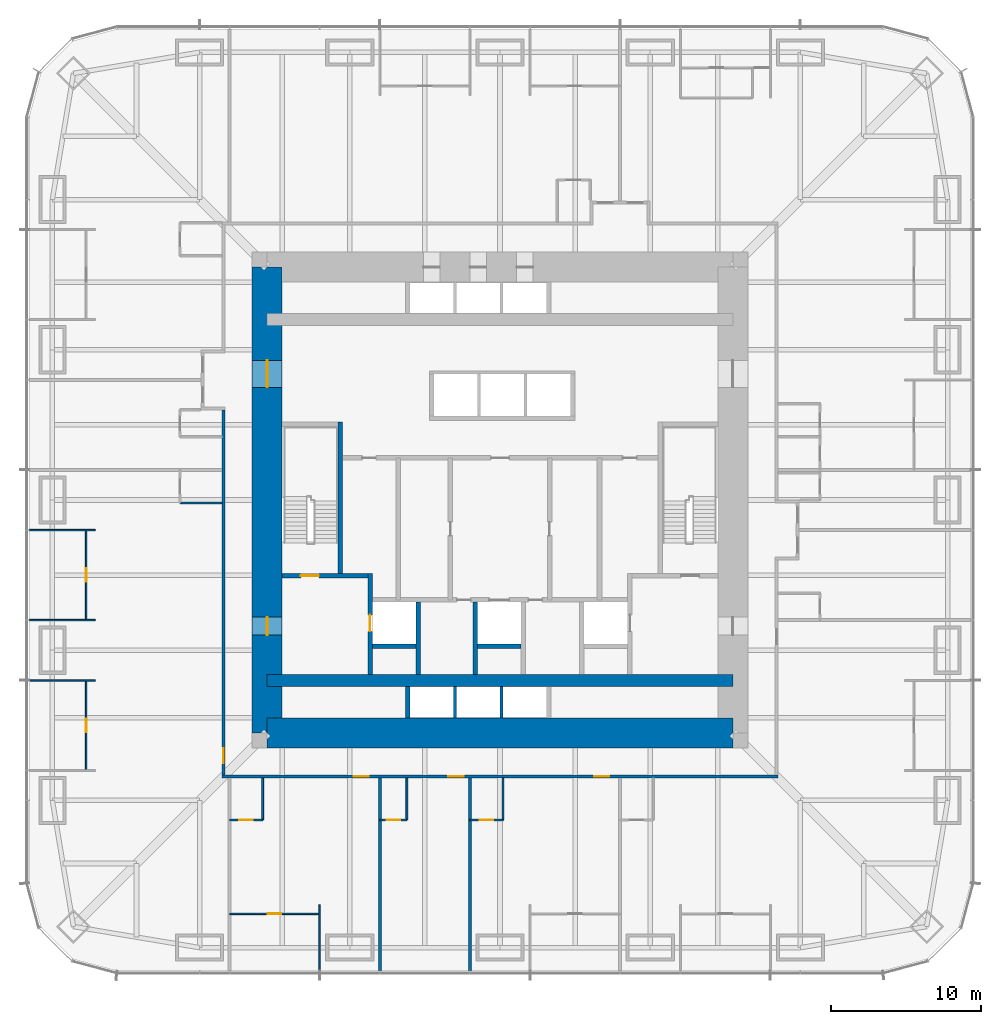
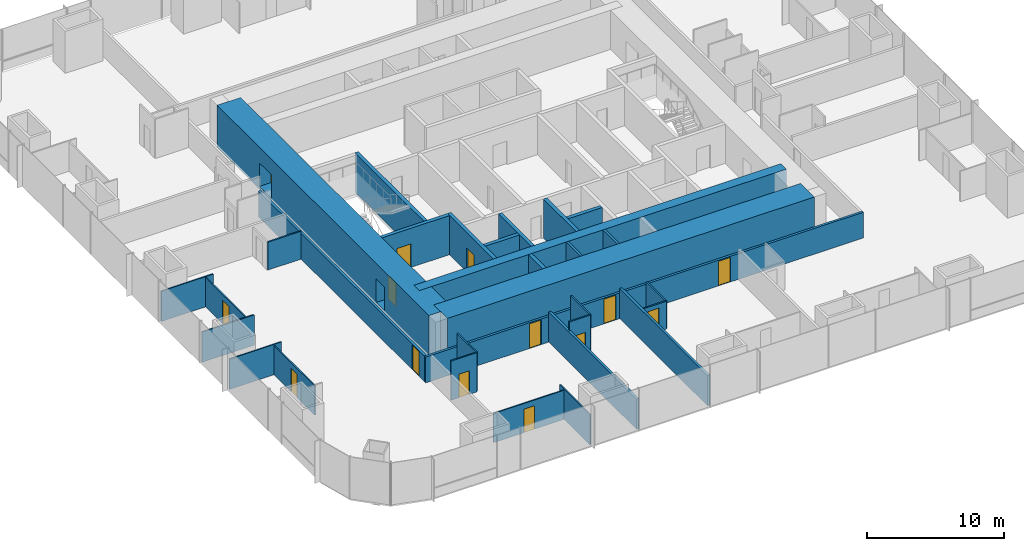
# One storey, part 12 of 16: 31 walls, 14 doors, 14 openings.
"""IFC4 building model written with IfcOpenShell, lengths in metres."""

import ifcopenshell
import ifcopenshell.guid

model = None  # the IFC model being written
_history = None  # IfcOwnerHistory: only IFC2X3 demands one
_inside = {}  # id of a spatial element -> (the spatial element, [elements in it])
_under = {}  # id of a project, library or spatial element -> (it, [spatial elements below it])
_declared = {}  # id of a project -> (the project, [libraries it declares])
_typed = {}  # id of a type object -> (the type object, [elements of that type])
_made_of = {}  # id of a material, layer set ... -> (it, [elements and type objects made of it])


def new_model(schema):
    """Start an empty IFC model of exactly this schema.

    Asked for "IFC4X3", IfcOpenShell would pick the latest addendum, in which some entities
    have other attributes; the version numbers below select the first issue.
    IFC2X3 requires an IfcOwnerHistory on every rooted entity: one is made here for all.
    """
    global model, _history
    if schema == "IFC4X3":
        model = ifcopenshell.file(schema_version=(4, 3, 0, 0))
    else:
        model = ifcopenshell.file(schema=schema)
    _inside.clear()
    _under.clear()
    _declared.clear()
    _typed.clear()
    _made_of.clear()
    _history = None
    if model.schema == "IFC2X3":
        org = make("IfcOrganization", Name="unknown")
        user = make(
            "IfcPersonAndOrganization",
            ThePerson=make("IfcPerson", FamilyName="unknown"),
            TheOrganization=org,
        )
        app = make(
            "IfcApplication",
            ApplicationDeveloper=org,
            Version="unknown",
            ApplicationFullName="unknown",
            ApplicationIdentifier="unknown",
        )
        _history = make(
            "IfcOwnerHistory",
            OwningUser=user,
            OwningApplication=app,
            ChangeAction="ADDED",
            CreationDate=0,
        )
    return model


def make(cls, **values):
    """One entity of the class cls with the attributes given. An attribute that is None is left unset."""
    return model.create_entity(
        cls, **{name: value for name, value in values.items() if value is not None}
    )


def rooted(cls, **values):
    """An entity with a GlobalId (a new one), such as an element, a storey or a relation."""
    return make(cls, GlobalId=ifcopenshell.guid.new(), OwnerHistory=_history, **values)


def si_unit(unit_type, name, prefix=None):
    """IfcSIUnit, for example si_unit("LENGTHUNIT", "METRE", prefix="MILLI")."""
    return make("IfcSIUnit", UnitType=unit_type, Prefix=prefix, Name=name)


def assignment(units):
    """IfcUnitAssignment: the units of a project."""
    return None if units is None else make("IfcUnitAssignment", Units=units)


def point(xyz):
    """IfcCartesianPoint."""
    return None if xyz is None else make("IfcCartesianPoint", Coordinates=xyz)


def direction(xyz):
    """IfcDirection."""
    return None if xyz is None else make("IfcDirection", DirectionRatios=xyz)


def frame(location, z_axis=None, x_axis=None):
    """IfcAxis2Placement3D, a coordinate frame: its origin and axes. An axis left out is left unset."""
    return make(
        "IfcAxis2Placement3D",
        Location=point(location),
        Axis=direction(z_axis),
        RefDirection=direction(x_axis),
    )


def frame_2d(location, x_axis=None):
    """IfcAxis2Placement2D, a coordinate frame in the plane: its origin and x axis."""
    return make(
        "IfcAxis2Placement2D", Location=point(location), RefDirection=direction(x_axis)
    )


def origin():
    """The frame at (0, 0, 0) with its axes left unset."""
    return frame((0.0, 0.0, 0.0))


def place(relative_to, where):
    """IfcLocalPlacement: puts the frame where relative to a parent placement (None: the world)."""
    return make(
        "IfcLocalPlacement", PlacementRelTo=relative_to, RelativePlacement=where
    )


def context(
    kind, dimensions, precision=None, world=None, true_north=None, identifier=None
):
    """IfcGeometricRepresentationContext, for example the 3D "Model" context."""
    return make(
        "IfcGeometricRepresentationContext",
        ContextIdentifier=identifier,
        ContextType=kind,
        CoordinateSpaceDimension=dimensions,
        Precision=precision,
        WorldCoordinateSystem=world,
        TrueNorth=true_north,
    )


def subcontext(parent, identifier, kind, view, scale=None):
    """IfcGeometricRepresentationSubContext, for example "Body" below "Model"."""
    return make(
        "IfcGeometricRepresentationSubContext",
        ContextIdentifier=identifier,
        ContextType=kind,
        ParentContext=parent,
        TargetScale=scale,
        TargetView=view,
    )


def project(units=None, contexts=None):
    """IfcProject with its units and contexts."""
    return rooted(
        "IfcProject",
        Name="project",
        RepresentationContexts=contexts,
        UnitsInContext=assignment(units),
    )


def spatial(cls, under=None, at=None, **own):
    """A site, building, storey or space (cls), placed at a placement, below another one or the project."""
    s = rooted(cls, ObjectPlacement=at, **own)
    if under is not None:
        _under.setdefault(under.id(), (under, []))[1].append(s)
    return s


def profile(cls, at=None, kind="AREA", **sizes):
    """A parametric profile (cls). Its sizes go by their IFC names, for example OverallWidth=200.0."""
    return make(cls, ProfileType=kind, Position=at, **sizes)


def rectangle(**sizes):
    """IfcRectangleProfileDef."""
    return profile("IfcRectangleProfileDef", **sizes)


def extrude(swept, where, along, depth):
    """IfcExtrudedAreaSolid: the profile swept, set in the frame where, extruded along a direction by depth."""
    return make(
        "IfcExtrudedAreaSolid",
        SweptArea=swept,
        Position=where,
        ExtrudedDirection=direction(along),
        Depth=depth,
    )


def shape(context_of_items, identifier, shape_type, items):
    """IfcShapeRepresentation: the items that make up one representation, for example the "Body"."""
    return make(
        "IfcShapeRepresentation",
        ContextOfItems=context_of_items,
        RepresentationIdentifier=identifier,
        RepresentationType=shape_type,
        Items=items,
    )


def material(Name=None, Category=None):
    """IfcMaterial."""
    return make("IfcMaterial", Name=Name, Category=Category)


def layer(
    of_material, thickness, ventilated=None, Name=None, Category=None, Priority=None
):
    """IfcMaterialLayer: one layer of a wall or slab, of a material (None: an air gap)."""
    return make(
        "IfcMaterialLayer",
        Material=of_material,
        LayerThickness=thickness,
        IsVentilated=ventilated,
        Name=Name,
        Category=Category,
        Priority=Priority,
    )


def layer_set(layers, Name=None):
    """IfcMaterialLayerSet."""
    return make("IfcMaterialLayerSet", MaterialLayers=layers, LayerSetName=Name)


def made_of(thing, what):
    """Note that an element or type object is made of a material, layer set ...; save() writes the relation."""
    if what is not None:
        _made_of.setdefault(what.id(), (what, []))[1].append(thing)
    return thing


def type_object(cls, material=None, **own):
    """A type object (cls), such as IfcWallType, which elements share."""
    return made_of(rooted(cls, **own), material)


def element(
    cls,
    number,
    at=None,
    inside=None,
    cuts=None,
    type_object=None,
    material=None,
    context=None,
    identifier="Body",
    shape_type=None,
    held_by="IfcProductDefinitionShape",
    body=None,
    shapes=None,
    **own,
):
    """One element of the class cls, such as IfcWall. Its Tag is "e" and its number.

    at: its placement. inside: the storey or other place that contains it. cuts: it is an
    opening in that element (IfcRelVoidsElement). A single representation is given by context,
    identifier, shape_type and body (its items); several are given by shapes. held_by: the class
    of the entity that holds the representations. save() writes the other relations.
    """
    e = rooted(cls, Tag="e%d" % number, ObjectPlacement=at, **own)
    if body is not None:
        shapes = [shape(context, identifier, shape_type, body)]
    if shapes is not None:
        e.Representation = make(held_by, Representations=shapes)
    if inside is not None:
        _inside.setdefault(inside.id(), (inside, []))[1].append(e)
    if cuts is not None:
        rooted(
            "IfcRelVoidsElement", RelatingBuildingElement=cuts, RelatedOpeningElement=e
        )
    if type_object is not None:
        _typed.setdefault(type_object.id(), (type_object, []))[1].append(e)
    return made_of(e, material)


def fill(opening, filler):
    """IfcRelFillsElement: the door or window that sits in an opening."""
    return rooted(
        "IfcRelFillsElement",
        RelatingOpeningElement=opening,
        RelatedBuildingElement=filler,
    )


def aggregate(whole, parts):
    """IfcRelAggregates: a whole, such as a stair, and the parts it consists of."""
    return rooted("IfcRelAggregates", RelatingObject=whole, RelatedObjects=parts)


def save(model, path):
    """Write the relations noted so far, then the file.

    IfcRelAggregates (storeys below a building ...), IfcRelContainedInSpatialStructure (elements
    in a storey), IfcRelDefinesByType, IfcRelAssociatesMaterial and IfcRelDeclares: one each for
    every whole, place, type object, material and project.
    """
    for whole, parts in _under.values():
        aggregate(whole, parts)
    for where, things in _inside.values():
        rooted(
            "IfcRelContainedInSpatialStructure",
            RelatedElements=things,
            RelatingStructure=where,
        )
    for kind, things in _typed.values():
        rooted("IfcRelDefinesByType", RelatedObjects=things, RelatingType=kind)
    for what, things in _made_of.values():
        rooted("IfcRelAssociatesMaterial", RelatedObjects=things, RelatingMaterial=what)
    for by, libraries in _declared.values():
        rooted("IfcRelDeclares", RelatingContext=by, RelatedDefinitions=libraries)
    model.write(path)


model = new_model("IFC4")

# Units and contexts
model_context = context("Model", 3, precision=1e-05, world=origin(), true_north=direction((0.0, 1.0)))
body_context = subcontext(model_context, "Body", "Model", "MODEL_VIEW")
ifc_project = project(units=[si_unit("LENGTHUNIT", "METRE"), si_unit("AREAUNIT", "SQUARE_METRE"), si_unit("VOLUMEUNIT", "CUBIC_METRE"), si_unit("PLANEANGLEUNIT", "RADIAN"), si_unit("MASSUNIT", "GRAM", prefix="KILO")], contexts=[model_context])

# Site, building, storey
site_placement = place(None, origin())
site = spatial("IfcSite", under=ifc_project, at=site_placement, CompositionType="ELEMENT")
building_placement = place(site_placement, origin())
building = spatial("IfcBuilding", under=site, at=building_placement, Name="Khuree Lantern Residences", CompositionType="ELEMENT")
storey_placement = place(building_placement, frame((0.0, 0.0, 62.25)))
storey = spatial("IfcBuildingStorey", under=building, at=storey_placement, Name="L15", CompositionType="ELEMENT", Elevation=62.25)

# Wall
ifc_material_1 = material(Name="Moisture-resistant gypsum board on steel studs", Category="steel")
ifc_layer_1 = layer(ifc_material_1, 0.125)
ifc_layer_set_1 = layer_set([ifc_layer_1], Name="BATHROOM WALL BTW125")
wall_type_1 = type_object("IfcWallType", Name="BATHROOM WALL BTW125", PredefinedType="PARTITIONING", material=ifc_layer_set_1)
wall_1_placement = place(storey_placement, frame((-18.5, -0.199951171875, 0.0), z_axis=(0.0, 0.0, 1.0), x_axis=(-1.0, 0.0, 0.0)))
element("IfcWall", 1, at=wall_1_placement, inside=storey, type_object=wall_type_1, Name="L15 BATHROOM WALL 07", PredefinedType="PARTITIONING", context=body_context, shape_type="SweptSolid", body=[
    extrude(rectangle(XDim=2.800048828125, YDim=0.125, at=frame_2d((1.39990234375, 0.0))), origin(), (0.0, 0.0, 1.0), 2.491943359375),
])

# Wall, opening, door
wall_2_placement = place(storey_placement, frame((-18.0, -21.300048828125, 0.0), z_axis=(0.0, 0.0, 1.0), x_axis=(1.0, 0.0, 0.0)))
wall_2 = element("IfcWall", 2, at=wall_2_placement, inside=storey, type_object=wall_type_1, Name="L15 BATHROOM WALL 08", PredefinedType="PARTITIONING", context=body_context, shape_type="SweptSolid", body=[
    extrude(rectangle(XDim=2.199951171875, YDim=0.125, at=frame_2d((1.10009765625, 0.0))), origin(), (0.0, 0.0, 1.0), 3.5),
])
opening_1_placement = place(wall_2_placement, frame((0.64990234375, 0.0, 0.0)))
opening_1 = element("IfcOpeningElement", 3, at=opening_1_placement, cuts=wall_2, Name="Opening 15-045", PredefinedType="OPENING", context=body_context, shape_type="SweptSolid", body=[
    extrude(rectangle(XDim=0.89990234375, YDim=2.10009765625, at=frame_2d((0.449951171875, 1.050048828125))), frame((0.0, 0.072509765625, 0.0), z_axis=(0.0, -1.0, 0.0), x_axis=(1.0, 0.0, 0.0)), (0.0, 0.0, 1.0), 0.14501953125),
])
ifc_material_2 = material(Name="Timber door leaf in hardwood frame", Category="wood")
door_type_1 = type_object("IfcDoorType", Name="BATHROOM DOOR 900X2100", OperationType="SINGLE_SWING_LEFT", PredefinedType="DOOR", material=ifc_material_2)
door_1_placement = place(opening_1_placement, origin())
door_1 = element("IfcDoor", 4, at=door_1_placement, inside=storey, type_object=door_type_1, Name="Bathroom door 15-045", OperationType="SINGLE_SWING_LEFT", OverallHeight=2.10009765625, OverallWidth=0.89990234375, PredefinedType="DOOR", context=body_context, shape_type="SweptSolid", body=[
    extrude(rectangle(XDim=0.89990234375, YDim=2.10009765625, at=frame_2d((0.449951171875, 1.050048828125))), frame((0.0, 0.02490234375, 0.0), z_axis=(0.0, -1.0, 0.0), x_axis=(1.0, 0.0, 0.0)), (0.0, 0.0, 1.0), 0.050048828125),
])
fill(opening_1, door_1)

# Wall
wall_3_placement = place(storey_placement, frame((-15.800048828125, -18.5, 0.0), z_axis=(0.0, 0.0, 1.0), x_axis=(0.0, -1.0, 0.0)))
element("IfcWall", 5, at=wall_3_placement, inside=storey, type_object=wall_type_1, Name="L15 BATHROOM WALL 08", PredefinedType="PARTITIONING", context=body_context, shape_type="SweptSolid", body=[
    extrude(rectangle(XDim=2.800048828125, YDim=0.125, at=frame_2d((1.39990234375, 0.0))), origin(), (0.0, 0.0, 1.0), 3.5),
])

# Wall, opening, door
wall_4_placement = place(storey_placement, frame((-8.0, -21.300048828125, 0.0), z_axis=(0.0, 0.0, 1.0), x_axis=(1.0, 0.0, 0.0)))
wall_4 = element("IfcWall", 6, at=wall_4_placement, inside=storey, type_object=wall_type_1, Name="L15 BATHROOM WALL 09", PredefinedType="PARTITIONING", context=body_context, shape_type="SweptSolid", body=[
    extrude(rectangle(XDim=1.800048828125, YDim=0.125, at=frame_2d((0.89990234375, 0.0))), origin(), (0.0, 0.0, 1.0), 3.5),
])
opening_2_placement = place(wall_4_placement, frame((0.449951171875, 0.0, 0.0)))
opening_2 = element("IfcOpeningElement", 7, at=opening_2_placement, cuts=wall_4, Name="Opening 15-047", PredefinedType="OPENING", context=body_context, shape_type="SweptSolid", body=[
    extrude(rectangle(XDim=0.89990234375, YDim=2.10009765625, at=frame_2d((0.449951171875, 1.050048828125))), frame((0.0, 0.072509765625, 0.0), z_axis=(0.0, -1.0, 0.0), x_axis=(1.0, 0.0, 0.0)), (0.0, 0.0, 1.0), 0.14501953125),
])
door_2_placement = place(opening_2_placement, origin())
door_2 = element("IfcDoor", 8, at=door_2_placement, inside=storey, type_object=door_type_1, Name="Bathroom door 15-047", OperationType="SINGLE_SWING_LEFT", OverallHeight=2.10009765625, OverallWidth=0.89990234375, PredefinedType="DOOR", context=body_context, shape_type="SweptSolid", body=[
    extrude(rectangle(XDim=0.89990234375, YDim=2.10009765625, at=frame_2d((0.449951171875, 1.050048828125))), frame((0.0, 0.02490234375, 0.0), z_axis=(0.0, -1.0, 0.0), x_axis=(1.0, 0.0, 0.0)), (0.0, 0.0, 1.0), 0.050048828125),
])
fill(opening_2, door_2)

# Wall
wall_5_placement = place(storey_placement, frame((-6.199951171875, -18.5, 0.0), z_axis=(0.0, 0.0, 1.0), x_axis=(0.0, -1.0, 0.0)))
element("IfcWall", 9, at=wall_5_placement, inside=storey, type_object=wall_type_1, Name="L15 BATHROOM WALL 09", PredefinedType="PARTITIONING", context=body_context, shape_type="SweptSolid", body=[
    extrude(rectangle(XDim=2.800048828125, YDim=0.125, at=frame_2d((1.39990234375, 0.0))), origin(), (0.0, 0.0, 1.0), 3.5),
])

# Wall, opening, door
wall_6_placement = place(storey_placement, frame((-2.0, -21.300048828125, 0.0), z_axis=(0.0, 0.0, 1.0), x_axis=(1.0, 0.0, 0.0)))
wall_6 = element("IfcWall", 10, at=wall_6_placement, inside=storey, type_object=wall_type_1, Name="L15 BATHROOM WALL 10", PredefinedType="PARTITIONING", context=body_context, shape_type="SweptSolid", body=[
    extrude(rectangle(XDim=2.199951171875, YDim=0.125, at=frame_2d((1.10009765625, 0.0))), origin(), (0.0, 0.0, 1.0), 2.491943359375),
])
opening_3_placement = place(wall_6_placement, frame((0.64990234375, 0.0, 0.0)))
opening_3 = element("IfcOpeningElement", 11, at=opening_3_placement, cuts=wall_6, Name="Opening 15-050", PredefinedType="OPENING", context=body_context, shape_type="SweptSolid", body=[
    extrude(rectangle(XDim=0.89990234375, YDim=2.10009765625, at=frame_2d((0.449951171875, 1.050048828125))), frame((0.0, 0.072509765625, 0.0), z_axis=(0.0, -1.0, 0.0), x_axis=(1.0, 0.0, 0.0)), (0.0, 0.0, 1.0), 0.14501953125),
])
door_3_placement = place(opening_3_placement, origin())
door_3 = element("IfcDoor", 12, at=door_3_placement, inside=storey, type_object=door_type_1, Name="Bathroom door 15-050", OperationType="SINGLE_SWING_LEFT", OverallHeight=2.10009765625, OverallWidth=0.89990234375, PredefinedType="DOOR", context=body_context, shape_type="SweptSolid", body=[
    extrude(rectangle(XDim=0.89990234375, YDim=2.10009765625, at=frame_2d((0.449951171875, 1.050048828125))), frame((0.0, 0.02490234375, 0.0), z_axis=(0.0, -1.0, 0.0), x_axis=(1.0, 0.0, 0.0)), (0.0, 0.0, 1.0), 0.050048828125),
])
fill(opening_3, door_3)

# Wall
wall_7_placement = place(storey_placement, frame((0.199951171875, -18.5, 0.0), z_axis=(0.0, 0.0, 1.0), x_axis=(0.0, -1.0, 0.0)))
element("IfcWall", 13, at=wall_7_placement, inside=storey, type_object=wall_type_1, Name="L15 BATHROOM WALL 10", PredefinedType="PARTITIONING", context=body_context, shape_type="SweptSolid", body=[
    extrude(rectangle(XDim=2.800048828125, YDim=0.125, at=frame_2d((1.39990234375, 0.0))), origin(), (0.0, 0.0, 1.0), 2.491943359375),
])

# Wall, opening, door
ifc_material_3 = material(Name="Dense concrete blockwork", Category="masonry")
ifc_layer_2 = layer(ifc_material_3, 0.300048828125)
ifc_layer_set_2 = layer_set([ifc_layer_2], Name="CORE PARTITION WALL CPW300 EI 120")
wall_type_2 = type_object("IfcWallType", Name="CORE PARTITION WALL CPW300 EI 120", PredefinedType="PARTITIONING", material=ifc_layer_set_2)
wall_8_placement = place(storey_placement, frame((-8.64990234375, -11.60009765625, 0.0), z_axis=(0.0, 0.0, 1.0), x_axis=(0.0, 1.0, 0.0)))
wall_8 = element("IfcWall", 14, at=wall_8_placement, inside=storey, type_object=wall_type_2, Name="L15 CORE WALL FL1W", PredefinedType="PARTITIONING", context=body_context, shape_type="SweptSolid", body=[
    extrude(rectangle(XDim=6.7001953125, YDim=0.300048828125, at=frame_2d((3.35009765625, 0.0))), origin(), (0.0, 0.0, 1.0), 3.5),
])
opening_4_placement = place(wall_8_placement, frame((2.85009765625, 0.0, 0.0)))
opening_4 = element("IfcOpeningElement", 15, at=opening_4_placement, cuts=wall_8, Name="Opening 15-007", PredefinedType="OPENING", context=body_context, shape_type="SweptSolid", body=[
    extrude(rectangle(XDim=1.10009765625, YDim=2.10009765625, at=frame_2d((0.550048828125, 1.050048828125))), frame((0.0, 0.16015625, 0.0), z_axis=(0.0, -1.0, 0.0), x_axis=(1.0, 0.0, 0.0)), (0.0, 0.0, 1.0), 0.320068359375),
])
ifc_material_4 = material(Name="Stainless steel lift landing door", Category="steel")
door_type_2 = type_object("IfcDoorType", Name="LIFT LANDING DOOR 1100X2100 E 120", OperationType="DOUBLE_DOOR_SLIDING", PredefinedType="DOOR", material=ifc_material_4)
door_4_placement = place(opening_4_placement, origin())
door_4 = element("IfcDoor", 16, at=door_4_placement, inside=storey, type_object=door_type_2, Name="Landing door FL1 15-007", OperationType="DOUBLE_DOOR_SLIDING", OverallHeight=2.10009765625, OverallWidth=1.10009765625, PredefinedType="DOOR", context=body_context, shape_type="SweptSolid", body=[
    extrude(rectangle(XDim=1.10009765625, YDim=2.10009765625, at=frame_2d((0.550048828125, 1.050048828125))), frame((0.0, 0.02490234375, 0.0), z_axis=(0.0, -1.0, 0.0), x_axis=(1.0, 0.0, 0.0)), (0.0, 0.0, 1.0), 0.050048828125),
])
fill(opening_4, door_4)

# Walls
for number, where, z_axis, x_axis, name in (
    (17, (-5.449951171875, -11.60009765625, 0.0), (0.0, 0.0, 1.0), (0.0, 1.0, 0.0), "L15 CORE WALL FL1E"),
    (18, (-1.64990234375, -11.60009765625, 0.0), (0.0, 0.0, 1.0), (0.0, 1.0, 0.0), "L15 CORE WALL SL1W"),
):
    element("IfcWall", number, at=place(storey_placement, frame(where, z_axis=z_axis, x_axis=x_axis)), inside=storey, type_object=wall_type_2, Name=name, PredefinedType="PARTITIONING", context=body_context, shape_type="SweptSolid", body=[
        extrude(rectangle(XDim=4.800048828125, YDim=0.300048828125, at=frame_2d((2.39990234375, 0.0))), origin(), (0.0, 0.0, 1.0), 3.5),
    ])
for number, where, z_axis, x_axis, name in (
    (19, (-8.5, -9.75, 0.0), (0.0, 0.0, 1.0), (1.0, 0.0, 0.0), "L15 CORE WALL FL1S"),
    (20, (-1.5, -9.75, 0.0), (0.0, 0.0, 1.0), (1.0, 0.0, 0.0), "L15 CORE WALL SL1S"),
):
    element("IfcWall", number, at=place(storey_placement, frame(where, z_axis=z_axis, x_axis=x_axis)), inside=storey, type_object=wall_type_2, Name=name, PredefinedType="PARTITIONING", context=body_context, shape_type="SweptSolid", body=[
        extrude(rectangle(XDim=2.89990234375, YDim=0.300048828125, at=frame_2d((1.449951171875, 0.0))), origin(), (0.0, 0.0, 1.0), 3.5),
    ])
wall_9_placement = place(storey_placement, frame((-6.14990234375, -14.5, 0.0), z_axis=(0.0, 0.0, 1.0), x_axis=(0.0, 1.0, 0.0)))
element("IfcWall", 21, at=wall_9_placement, inside=storey, type_object=wall_type_2, Name="L15 CORE WALL PMW", PredefinedType="PARTITIONING", context=body_context, shape_type="SweptSolid", body=[
    extrude(rectangle(XDim=2.10009765625, YDim=0.300048828125, at=frame_2d((1.050048828125, 0.0))), origin(), (0.0, 0.0, 1.0), 3.5),
])

# Wall, opening, door
ifc_material_5 = material(Name="Gypsum board on steel studs", Category="steel")
ifc_layer_3 = layer(ifc_material_5, 0.199951171875)
ifc_layer_set_3 = layer_set([ifc_layer_3], Name="CORRIDOR WALL CRW200 EI 60")
wall_type_3 = type_object("IfcWallType", Name="CORRIDOR WALL CRW200 EI 60", PredefinedType="PARTITIONING", material=ifc_layer_set_3)
wall_10_placement = place(storey_placement, frame((-18.39990234375, 6.0, 0.0), z_axis=(0.0, 0.0, 1.0), x_axis=(0.0, -1.0, 0.0)))
wall_10 = element("IfcWall", 22, at=wall_10_placement, inside=storey, type_object=wall_type_3, Name="L15 CORRIDOR WALL WEST 2", PredefinedType="PARTITIONING", context=body_context, shape_type="SweptSolid", body=[
    extrude(rectangle(XDim=24.300048828125, YDim=0.199951171875, at=frame_2d((12.14990234375, 0.0))), origin(), (0.0, 0.0, 1.0), 2.300048828125),
])
opening_5_placement = place(wall_10_placement, frame((22.52001953125, 0.0, 0.0)))
opening_5 = element("IfcOpeningElement", 23, at=opening_5_placement, cuts=wall_10, Name="Opening 15-043", PredefinedType="OPENING", context=body_context, shape_type="SweptSolid", body=[
    extrude(rectangle(XDim=1.0, YDim=2.199951171875, at=frame_2d((0.5, 1.10009765625))), frame((0.0, 0.10986328125, 0.0), z_axis=(0.0, -1.0, 0.0), x_axis=(1.0, 0.0, 0.0)), (0.0, 0.0, 1.0), 0.219970703125),
])
door_type_3 = type_object("IfcDoorType", Name="APARTMENT ENTRANCE DOOR 1000X2200 EI 30S RIGHT HAND", OperationType="SINGLE_SWING_RIGHT", PredefinedType="DOOR", material=ifc_material_2)
door_5_placement = place(opening_5_placement, origin())
door_5 = element("IfcDoor", 24, at=door_5_placement, inside=storey, type_object=door_type_3, Name="Apartment 07 entrance door 15-043", OperationType="SINGLE_SWING_RIGHT", OverallHeight=2.199951171875, OverallWidth=1.0, PredefinedType="DOOR", context=body_context, shape_type="SweptSolid", body=[
    extrude(rectangle(XDim=1.0, YDim=2.199951171875, at=frame_2d((0.5, 1.10009765625))), frame((0.0, 0.02490234375, 0.0), z_axis=(0.0, -1.0, 0.0), x_axis=(1.0, 0.0, 0.0)), (0.0, 0.0, 1.0), 0.050048828125),
])
fill(opening_5, door_5)

# Wall, openings, doors
wall_11_placement = place(storey_placement, frame((18.5, -18.39990234375, 0.0), z_axis=(0.0, 0.0, 1.0), x_axis=(-1.0, 0.0, 0.0)))
wall_11 = element("IfcWall", 25, at=wall_11_placement, inside=storey, type_object=wall_type_3, Name="L15 CORRIDOR WALL SOUTH 1", PredefinedType="PARTITIONING", context=body_context, shape_type="SweptSolid", body=[
    extrude(rectangle(XDim=37.0, YDim=0.199951171875, at=frame_2d((18.5, 0.0))), origin(), (0.0, 0.0, 1.0), 2.300048828125),
])
opening_6_placement = place(wall_11_placement, frame((27.22998046875, 0.0, 0.0)))
opening_6 = element("IfcOpeningElement", 26, at=opening_6_placement, cuts=wall_11, Name="Opening 15-046", PredefinedType="OPENING", context=body_context, shape_type="SweptSolid", body=[
    extrude(rectangle(XDim=1.0, YDim=2.199951171875, at=frame_2d((0.5, 1.10009765625))), frame((0.0, 0.10986328125, 0.0), z_axis=(0.0, -1.0, 0.0), x_axis=(1.0, 0.0, 0.0)), (0.0, 0.0, 1.0), 0.219970703125),
])
opening_7_placement = place(wall_11_placement, frame((20.929931640625, 0.0, 0.0)))
opening_7 = element("IfcOpeningElement", 27, at=opening_7_placement, cuts=wall_11, Name="Opening 15-048", PredefinedType="OPENING", context=body_context, shape_type="SweptSolid", body=[
    extrude(rectangle(XDim=1.0, YDim=2.199951171875, at=frame_2d((0.5, 1.10009765625))), frame((0.0, 0.10986328125, 0.0), z_axis=(0.0, -1.0, 0.0), x_axis=(1.0, 0.0, 0.0)), (0.0, 0.0, 1.0), 0.219970703125),
])
opening_8_placement = place(wall_11_placement, frame((11.22998046875, 0.0, 0.0)))
opening_8 = element("IfcOpeningElement", 28, at=opening_8_placement, cuts=wall_11, Name="Opening 15-051", PredefinedType="OPENING", context=body_context, shape_type="SweptSolid", body=[
    extrude(rectangle(XDim=1.0, YDim=2.199951171875, at=frame_2d((0.5, 1.10009765625))), frame((0.0, 0.10986328125, 0.0), z_axis=(0.0, -1.0, 0.0), x_axis=(1.0, 0.0, 0.0)), (0.0, 0.0, 1.0), 0.219970703125),
])
door_type_4 = type_object("IfcDoorType", Name="APARTMENT ENTRANCE DOOR 1000X2200 EI 30S", OperationType="SINGLE_SWING_LEFT", PredefinedType="DOOR", material=ifc_material_2)
door_6_placement = place(opening_6_placement, origin())
door_6 = element("IfcDoor", 29, at=door_6_placement, inside=storey, type_object=door_type_4, Name="Apartment 08 entrance door 15-046", OperationType="SINGLE_SWING_LEFT", OverallHeight=2.199951171875, OverallWidth=1.0, PredefinedType="DOOR", context=body_context, shape_type="SweptSolid", body=[
    extrude(rectangle(XDim=1.0, YDim=2.199951171875, at=frame_2d((0.5, 1.10009765625))), frame((0.0, 0.02490234375, 0.0), z_axis=(0.0, -1.0, 0.0), x_axis=(1.0, 0.0, 0.0)), (0.0, 0.0, 1.0), 0.050048828125),
])
fill(opening_6, door_6)
door_7_placement = place(opening_7_placement, origin())
door_7 = element("IfcDoor", 30, at=door_7_placement, inside=storey, type_object=door_type_4, Name="Apartment 09 entrance door 15-048", OperationType="SINGLE_SWING_LEFT", OverallHeight=2.199951171875, OverallWidth=1.0, PredefinedType="DOOR", context=body_context, shape_type="SweptSolid", body=[
    extrude(rectangle(XDim=1.0, YDim=2.199951171875, at=frame_2d((0.5, 1.10009765625))), frame((0.0, 0.02490234375, 0.0), z_axis=(0.0, -1.0, 0.0), x_axis=(1.0, 0.0, 0.0)), (0.0, 0.0, 1.0), 0.050048828125),
])
fill(opening_7, door_7)
door_8_placement = place(opening_8_placement, origin())
door_8 = element("IfcDoor", 31, at=door_8_placement, inside=storey, type_object=door_type_4, Name="Apartment 10 entrance door 15-051", OperationType="SINGLE_SWING_LEFT", OverallHeight=2.199951171875, OverallWidth=1.0, PredefinedType="DOOR", context=body_context, shape_type="SweptSolid", body=[
    extrude(rectangle(XDim=1.0, YDim=2.199951171875, at=frame_2d((0.5, 1.10009765625))), frame((0.0, 0.02490234375, 0.0), z_axis=(0.0, -1.0, 0.0), x_axis=(1.0, 0.0, 0.0)), (0.0, 0.0, 1.0), 0.050048828125),
])
fill(opening_8, door_8)

# Wall
ifc_material_6 = material(Name="Concrete C70/85", Category="concrete")
ifc_layer_4 = layer(ifc_material_6, 2.0)
ifc_layer_set_4 = layer_set([ifc_layer_4], Name="CW2000-C70 CORE WALL C70 2000")
wall_type_4 = type_object("IfcWallType", Name="CW2000-C70 CORE WALL C70 2000", PredefinedType="SHEAR", material=ifc_layer_set_4)
wall_12_placement = place(storey_placement, frame((-15.5, -15.5, -0.25), z_axis=(0.0, 0.0, 1.0), x_axis=(1.0, 0.0, 0.0)))
element("IfcWall", 32, at=wall_12_placement, inside=storey, type_object=wall_type_4, Name="Core wall S", PredefinedType="SHEAR", context=body_context, shape_type="SweptSolid", body=[
    extrude(rectangle(XDim=31.0, YDim=2.0, at=frame_2d((15.5, 0.0))), origin(), (0.0, 0.0, 1.0), 3.75),
])

# Wall, openings, doors
wall_13_placement = place(storey_placement, frame((-15.5, -15.5, -0.25), z_axis=(0.0, 0.0, 1.0), x_axis=(0.0, 1.0, 0.0)))
wall_13 = element("IfcWall", 33, at=wall_13_placement, inside=storey, type_object=wall_type_4, Name="Core wall W", PredefinedType="SHEAR", context=body_context, shape_type="SweptSolid", body=[
    extrude(rectangle(XDim=31.0, YDim=2.0, at=frame_2d((15.5, 0.0))), origin(), (0.0, 0.0, 1.0), 3.75),
])
opening_9_placement = place(wall_13_placement, frame((6.5, 0.0, 0.25)))
opening_9 = element("IfcOpeningElement", 34, at=opening_9_placement, cuts=wall_13, Name="Opening 15-002", PredefinedType="OPENING", context=body_context, shape_type="SweptSolid", body=[
    extrude(rectangle(XDim=1.199951171875, YDim=2.10009765625, at=frame_2d((0.60009765625, 1.050048828125))), frame((0.0, 1.010009765625, 0.0), z_axis=(0.0, -1.0, 0.0), x_axis=(1.0, 0.0, 0.0)), (0.0, 0.0, 1.0), 2.02001953125),
])
opening_10_placement = place(wall_13_placement, frame((23.0, 0.0, 0.25)))
opening_10 = element("IfcOpeningElement", 35, at=opening_10_placement, cuts=wall_13, Name="Opening 15-003", PredefinedType="OPENING", context=body_context, shape_type="SweptSolid", body=[
    extrude(rectangle(XDim=1.800048828125, YDim=2.10009765625, at=frame_2d((0.89990234375, 1.050048828125))), frame((0.0, 1.010009765625, 0.0), z_axis=(0.0, -1.0, 0.0), x_axis=(1.0, 0.0, 0.0)), (0.0, 0.0, 1.0), 2.02001953125),
])
ifc_material_7 = material(Name="Steel door leaf in steel frame", Category="steel")
door_type_5 = type_object("IfcDoorType", Name="LOBBY DOOR 1200X2100 EI 120", OperationType="SINGLE_SWING_LEFT", PredefinedType="DOOR", material=ifc_material_7)
door_9_placement = place(opening_9_placement, origin())
door_9 = element("IfcDoor", 36, at=door_9_placement, inside=storey, type_object=door_type_5, Name="Firefighting lobby door 15-002", OperationType="SINGLE_SWING_LEFT", OverallHeight=2.10009765625, OverallWidth=1.199951171875, PredefinedType="DOOR", context=body_context, shape_type="SweptSolid", body=[
    extrude(rectangle(XDim=1.199951171875, YDim=2.10009765625, at=frame_2d((0.60009765625, 1.050048828125))), frame((0.0, 0.02490234375, 0.0), z_axis=(0.0, -1.0, 0.0), x_axis=(1.0, 0.0, 0.0)), (0.0, 0.0, 1.0), 0.050048828125),
])
fill(opening_9, door_9)
door_type_6 = type_object("IfcDoorType", Name="LOBBY DOUBLE DOOR 1800X2100 EI 60", OperationType="DOUBLE_DOOR_SINGLE_SWING", PredefinedType="DOOR", material=ifc_material_7)
door_10_placement = place(opening_10_placement, origin())
door_10 = element("IfcDoor", 37, at=door_10_placement, inside=storey, type_object=door_type_6, Name="Lift lobby door 15-003", OperationType="DOUBLE_DOOR_SINGLE_SWING", OverallHeight=2.10009765625, OverallWidth=1.800048828125, PredefinedType="DOOR", context=body_context, shape_type="SweptSolid", body=[
    extrude(rectangle(XDim=1.800048828125, YDim=2.10009765625, at=frame_2d((0.89990234375, 1.050048828125))), frame((0.0, 0.02490234375, 0.0), z_axis=(0.0, -1.0, 0.0), x_axis=(1.0, 0.0, 0.0)), (0.0, 0.0, 1.0), 0.050048828125),
])
fill(opening_10, door_10)

# Walls
ifc_layer_5 = layer(ifc_material_5, 0.199951171875)
ifc_layer_set_5 = layer_set([ifc_layer_5], Name="DEMISING WALL DMW200 EI 90")
wall_type_5 = type_object("IfcWallType", Name="DEMISING WALL DMW200 EI 90", PredefinedType="PARTITIONING", material=ifc_layer_set_5)
for number, where, z_axis, x_axis, name in (
    (38, (-8.0, -18.5, 0.0), (0.0, 0.0, 1.0), (0.0, -1.0, 0.0), "L15 DEMISING WALL 09"),
    (39, (-2.0, -18.5, 0.0), (0.0, 0.0, 1.0), (0.0, -1.0, 0.0), "L15 DEMISING WALL 10"),
):
    element("IfcWall", number, at=place(storey_placement, frame(where, z_axis=z_axis, x_axis=x_axis)), inside=storey, type_object=wall_type_5, Name=name, PredefinedType="PARTITIONING", context=body_context, shape_type="SweptSolid", body=[
        extrude(rectangle(XDim=12.85009765625, YDim=0.199951171875, at=frame_2d((6.425048828125, 0.0))), origin(), (0.0, 0.0, 1.0), 2.7099609375),
    ])
ifc_layer_6 = layer(ifc_material_5, 0.10009765625)
ifc_layer_set_6 = layer_set([ifc_layer_6], Name="PARTITION PT100")
wall_type_6 = type_object("IfcWallType", Name="PARTITION PT100", PredefinedType="PARTITIONING", material=ifc_layer_set_6)
for number, where, z_axis, x_axis, name in (
    (40, (-26.949951171875, -2.0, 0.0), (0.0, 0.0, 1.0), (-1.0, 0.0, 0.0), "L15 PARTITION 07"),
    (41, (-26.949951171875, -8.0, 0.0), (0.0, 0.0, 1.0), (-1.0, 0.0, 0.0), "L15 PARTITION 07"),
    (42, (-26.949951171875, -12.0, 0.0), (0.0, 0.0, 1.0), (-1.0, 0.0, 0.0), "L15 PARTITION 07"),
    (43, (-12.0, -26.949951171875, 0.0), (0.0, 0.0, 1.0), (0.0, -1.0, 0.0), "L15 PARTITION 08"),
):
    element("IfcWall", number, at=place(storey_placement, frame(where, z_axis=z_axis, x_axis=x_axis)), inside=storey, type_object=wall_type_6, Name=name, PredefinedType="PARTITIONING", context=body_context, shape_type="SweptSolid", body=[
        extrude(rectangle(XDim=4.400146484375, YDim=0.10009765625, at=frame_2d((2.2001953125, 0.0))), origin(), (0.0, 0.0, 1.0), 2.7099609375),
    ])

# Wall, opening, door
wall_14_placement = place(storey_placement, frame((-27.550048828125, -2.0, 0.0), z_axis=(0.0, 0.0, 1.0), x_axis=(0.0, -1.0, 0.0)))
wall_14 = element("IfcWall", 44, at=wall_14_placement, inside=storey, type_object=wall_type_6, Name="L15 PARTITION 07", PredefinedType="PARTITIONING", context=body_context, shape_type="SweptSolid", body=[
    extrude(rectangle(XDim=6.0, YDim=0.10009765625, at=frame_2d((3.0, 0.0))), origin(), (0.0, 0.0, 1.0), 2.610107421875),
])
opening_11_placement = place(wall_14_placement, frame((2.550048828125, 0.0, 0.0)))
opening_11 = element("IfcOpeningElement", 45, at=opening_11_placement, cuts=wall_14, Name="Opening 15-040", PredefinedType="OPENING", context=body_context, shape_type="SweptSolid", body=[
    extrude(rectangle(XDim=0.89990234375, YDim=2.10009765625, at=frame_2d((0.449951171875, 1.050048828125))), frame((0.0, 0.06005859375, 0.0), z_axis=(0.0, -1.0, 0.0), x_axis=(1.0, 0.0, 0.0)), (0.0, 0.0, 1.0), 0.1201171875),
])
door_type_7 = type_object("IfcDoorType", Name="BEDROOM DOOR 900X2100", OperationType="SINGLE_SWING_LEFT", PredefinedType="DOOR", material=ifc_material_2)
door_11_placement = place(opening_11_placement, origin())
door_11 = element("IfcDoor", 46, at=door_11_placement, inside=storey, type_object=door_type_7, Name="Bedroom door 15-040", OperationType="SINGLE_SWING_LEFT", OverallHeight=2.10009765625, OverallWidth=0.89990234375, PredefinedType="DOOR", context=body_context, shape_type="SweptSolid", body=[
    extrude(rectangle(XDim=0.89990234375, YDim=2.10009765625, at=frame_2d((0.449951171875, 1.050048828125))), frame((0.0, 0.02490234375, 0.0), z_axis=(0.0, -1.0, 0.0), x_axis=(1.0, 0.0, 0.0)), (0.0, 0.0, 1.0), 0.050048828125),
])
fill(opening_11, door_11)

wall_15_placement = place(storey_placement, frame((-27.550048828125, -12.0, 0.0), z_axis=(0.0, 0.0, 1.0), x_axis=(0.0, -1.0, 0.0)))
wall_15 = element("IfcWall", 47, at=wall_15_placement, inside=storey, type_object=wall_type_6, Name="L15 PARTITION 07", PredefinedType="PARTITIONING", context=body_context, shape_type="SweptSolid", body=[
    extrude(rectangle(XDim=6.0, YDim=0.10009765625, at=frame_2d((3.0, 0.0))), origin(), (0.0, 0.0, 1.0), 2.610107421875),
])
opening_12_placement = place(wall_15_placement, frame((2.550048828125, 0.0, 0.0)))
opening_12 = element("IfcOpeningElement", 48, at=opening_12_placement, cuts=wall_15, Name="Opening 15-041", PredefinedType="OPENING", context=body_context, shape_type="SweptSolid", body=[
    extrude(rectangle(XDim=0.89990234375, YDim=2.10009765625, at=frame_2d((0.449951171875, 1.050048828125))), frame((0.0, 0.06005859375, 0.0), z_axis=(0.0, -1.0, 0.0), x_axis=(1.0, 0.0, 0.0)), (0.0, 0.0, 1.0), 0.1201171875),
])
door_12_placement = place(opening_12_placement, origin())
door_12 = element("IfcDoor", 49, at=door_12_placement, inside=storey, type_object=door_type_7, Name="Bedroom door 15-041", OperationType="SINGLE_SWING_LEFT", OverallHeight=2.10009765625, OverallWidth=0.89990234375, PredefinedType="DOOR", context=body_context, shape_type="SweptSolid", body=[
    extrude(rectangle(XDim=0.89990234375, YDim=2.10009765625, at=frame_2d((0.449951171875, 1.050048828125))), frame((0.0, 0.02490234375, 0.0), z_axis=(0.0, -1.0, 0.0), x_axis=(1.0, 0.0, 0.0)), (0.0, 0.0, 1.0), 0.050048828125),
])
fill(opening_12, door_12)

wall_16_placement = place(storey_placement, frame((-18.0, -27.550048828125, 0.0), z_axis=(0.0, 0.0, 1.0), x_axis=(1.0, 0.0, 0.0)))
wall_16 = element("IfcWall", 50, at=wall_16_placement, inside=storey, type_object=wall_type_6, Name="L15 PARTITION 08", PredefinedType="PARTITIONING", context=body_context, shape_type="SweptSolid", body=[
    extrude(rectangle(XDim=6.0, YDim=0.10009765625, at=frame_2d((3.0, 0.0))), origin(), (0.0, 0.0, 1.0), 2.610107421875),
])
opening_13_placement = place(wall_16_placement, frame((2.550048828125, 0.0, 0.0)))
opening_13 = element("IfcOpeningElement", 51, at=opening_13_placement, cuts=wall_16, Name="Opening 15-044", PredefinedType="OPENING", context=body_context, shape_type="SweptSolid", body=[
    extrude(rectangle(XDim=0.89990234375, YDim=2.10009765625, at=frame_2d((0.449951171875, 1.050048828125))), frame((0.0, 0.06005859375, 0.0), z_axis=(0.0, -1.0, 0.0), x_axis=(1.0, 0.0, 0.0)), (0.0, 0.0, 1.0), 0.1201171875),
])
door_13_placement = place(opening_13_placement, origin())
door_13 = element("IfcDoor", 52, at=door_13_placement, inside=storey, type_object=door_type_7, Name="Bedroom door 15-044", OperationType="SINGLE_SWING_LEFT", OverallHeight=2.10009765625, OverallWidth=0.89990234375, PredefinedType="DOOR", context=body_context, shape_type="SweptSolid", body=[
    extrude(rectangle(XDim=0.89990234375, YDim=2.10009765625, at=frame_2d((0.449951171875, 1.050048828125))), frame((0.0, 0.02490234375, 0.0), z_axis=(0.0, -1.0, 0.0), x_axis=(1.0, 0.0, 0.0)), (0.0, 0.0, 1.0), 0.050048828125),
])
fill(opening_13, door_13)

# Walls
ifc_layer_7 = layer(ifc_material_3, 0.199951171875)
ifc_layer_set_7 = layer_set([ifc_layer_7], Name="SHAFT WALL SHW200 EI 120")
wall_type_7 = type_object("IfcWallType", Name="SHAFT WALL SHW200 EI 120", PredefinedType="PARTITIONING", material=ifc_layer_set_7)
for number, where, z_axis, x_axis, name in (
    (53, (-3.0, -14.5, 0.0), (0.0, 0.0, 1.0), (0.0, 1.0, 0.0), "L15 CORE WALL PMD1"),
    (54, (0.10009765625, -14.5, 0.0), (0.0, 0.0, 1.0), (0.0, 1.0, 0.0), "L15 CORE WALL PMD2"),
):
    element("IfcWall", number, at=place(storey_placement, frame(where, z_axis=z_axis, x_axis=x_axis)), inside=storey, type_object=wall_type_7, Name=name, PredefinedType="PARTITIONING", context=body_context, shape_type="SweptSolid", body=[
        extrude(rectangle(XDim=2.10009765625, YDim=0.199951171875, at=frame_2d((1.050048828125, 0.0))), origin(), (0.0, 0.0, 1.0), 3.5),
    ])
ifc_layer_8 = layer(ifc_material_6, 0.800048828125)
ifc_layer_set_8 = layer_set([ifc_layer_8], Name="SP800-C70 CORE SPINE WALL C70 800")
wall_type_8 = type_object("IfcWallType", Name="SP800-C70 CORE SPINE WALL C70 800", PredefinedType="SHEAR", material=ifc_layer_set_8)
wall_17_placement = place(storey_placement, frame((-15.5, -12.0, -0.25), z_axis=(0.0, 0.0, 1.0), x_axis=(1.0, 0.0, 0.0)))
element("IfcWall", 55, at=wall_17_placement, inside=storey, type_object=wall_type_8, Name="Core wall SPS", PredefinedType="SHEAR", context=body_context, shape_type="SweptSolid", body=[
    extrude(rectangle(XDim=31.0, YDim=0.800048828125, at=frame_2d((15.5, 0.0))), origin(), (0.0, 0.0, 1.0), 3.75),
])
ifc_material_8 = material(Name="Concrete C50/60", Category="concrete")
ifc_layer_9 = layer(ifc_material_8, 0.300048828125)
ifc_layer_set_9 = layer_set([ifc_layer_9], Name="STAIR WALL SRW300 C50/60 REI 240")
wall_type_9 = type_object("IfcWallType", Name="STAIR WALL SRW300 C50/60 REI 240", PredefinedType="SOLIDWALL", material=ifc_layer_set_9)
wall_18_placement = place(storey_placement, frame((-10.64990234375, -4.89990234375, 0.0), z_axis=(0.0, 0.0, 1.0), x_axis=(0.0, 1.0, 0.0)))
element("IfcWall", 56, at=wall_18_placement, inside=storey, type_object=wall_type_9, Name="L15 STAIR WALL ST1E", PredefinedType="SOLIDWALL", context=body_context, shape_type="SweptSolid", body=[
    extrude(rectangle(XDim=10.099853515625, YDim=0.300048828125, at=frame_2d((5.0498046875, 0.0))), origin(), (0.0, 0.0, 1.0), 3.5),
])

# Wall, opening, door
wall_19_placement = place(storey_placement, frame((-14.5, -5.050048828125, 0.0), z_axis=(0.0, 0.0, 1.0), x_axis=(1.0, 0.0, 0.0)))
wall_19 = element("IfcWall", 57, at=wall_19_placement, inside=storey, type_object=wall_type_9, Name="L15 STAIR WALL ST1S", PredefinedType="SOLIDWALL", context=body_context, shape_type="SweptSolid", body=[
    extrude(rectangle(XDim=5.699951171875, YDim=0.300048828125, at=frame_2d((2.85009765625, 0.0))), origin(), (0.0, 0.0, 1.0), 3.5),
])
opening_14_placement = place(wall_19_placement, frame((1.25, 0.0, 0.0)))
opening_14 = element("IfcOpeningElement", 58, at=opening_14_placement, cuts=wall_19, Name="Opening 15-001", PredefinedType="OPENING", context=body_context, shape_type="SweptSolid", body=[
    extrude(rectangle(XDim=1.199951171875, YDim=2.10009765625, at=frame_2d((0.60009765625, 1.050048828125))), frame((0.0, 0.16015625, 0.0), z_axis=(0.0, -1.0, 0.0), x_axis=(1.0, 0.0, 0.0)), (0.0, 0.0, 1.0), 0.320068359375),
])
door_type_8 = type_object("IfcDoorType", Name="STAIR DOOR 1200X2100 EI 120", OperationType="SINGLE_SWING_LEFT", PredefinedType="DOOR", material=ifc_material_7)
door_14_placement = place(opening_14_placement, origin())
door_14 = element("IfcDoor", 59, at=door_14_placement, inside=storey, type_object=door_type_8, Name="Stair ST1 door 15-001", OperationType="SINGLE_SWING_LEFT", OverallHeight=2.10009765625, OverallWidth=1.199951171875, PredefinedType="DOOR", context=body_context, shape_type="SweptSolid", body=[
    extrude(rectangle(XDim=1.199951171875, YDim=2.10009765625, at=frame_2d((0.60009765625, 1.050048828125))), frame((0.0, 0.02490234375, 0.0), z_axis=(0.0, -1.0, 0.0), x_axis=(1.0, 0.0, 0.0)), (0.0, 0.0, 1.0), 0.050048828125),
])
fill(opening_14, door_14)

save(model, "model.ifc")
